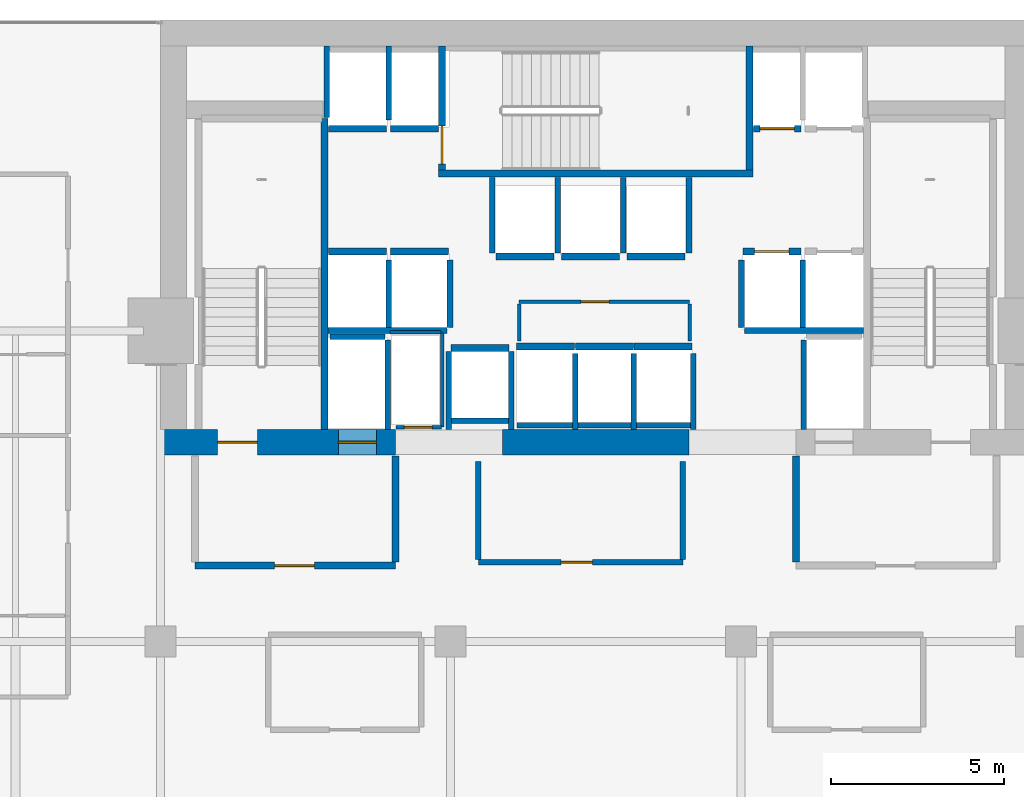
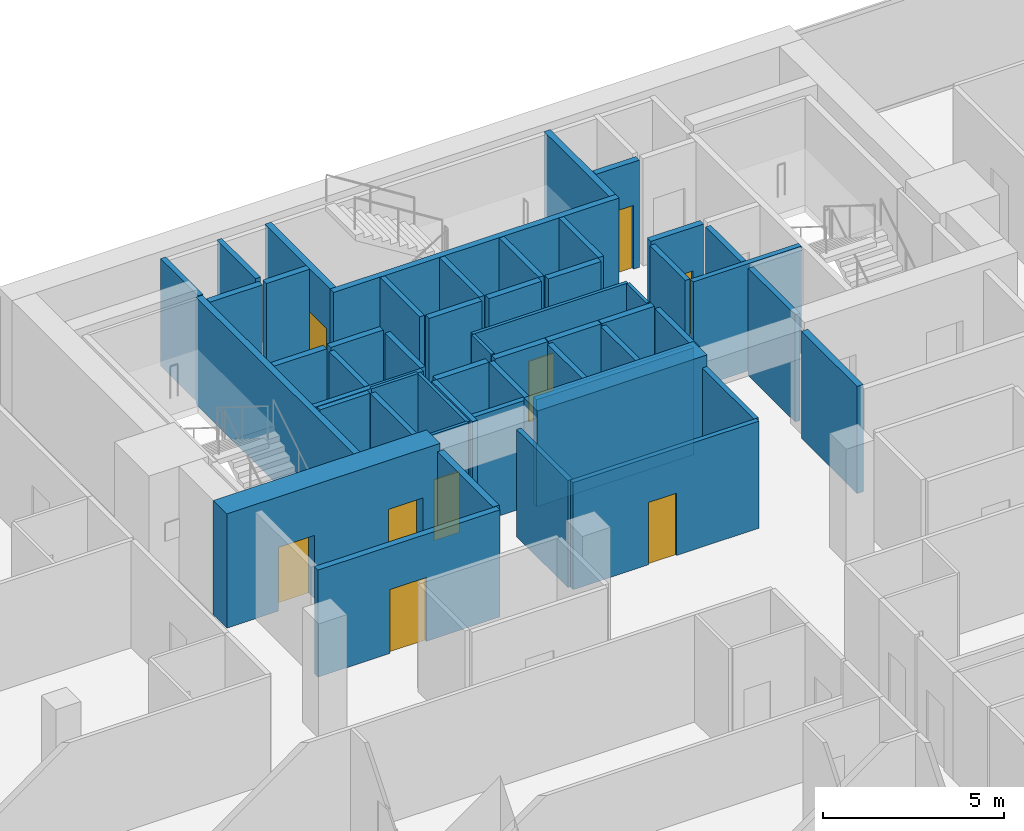
# One storey, part 30 of 34: 53 walls, 9 doors, 9 openings.
"""IFC4 building model written with IfcOpenShell, lengths in metres."""

from ifc_helpers import new_model, si_unit, direction, frame, frame_2d, origin, place, context, subcontext, project, spatial, rectangle, extrude, material, layer, layer_set, type_object, element, fill, save


model = new_model("IFC4")

# Units and contexts
model_context = context("Model", 3, precision=1e-05, world=origin(), true_north=direction((0.0, 1.0)))
body_context = subcontext(model_context, "Body", "Model", "MODEL_VIEW")
ifc_project = project(units=[si_unit("LENGTHUNIT", "METRE"), si_unit("AREAUNIT", "SQUARE_METRE"), si_unit("VOLUMEUNIT", "CUBIC_METRE"), si_unit("PLANEANGLEUNIT", "RADIAN"), si_unit("MASSUNIT", "GRAM", prefix="KILO")], contexts=[model_context])

# Site, building, storey
site_placement = place(None, origin())
site = spatial("IfcSite", under=ifc_project, at=site_placement, CompositionType="ELEMENT")
building_placement = place(site_placement, origin())
building = spatial("IfcBuilding", under=site, at=building_placement, Name="Maruvema Waterfront Hotel and Observation Tower", CompositionType="ELEMENT")
storey_placement = place(building_placement, frame((0.0, 0.0, 127.39990234375)))
storey = spatial("IfcBuildingStorey", under=building, at=storey_placement, Name="L30", CompositionType="ELEMENT", Elevation=127.39990234375)

# Wall, opening, door
ifc_material_1 = material(Name="Twin-stud acoustic gypsum drywall", Category="gypsum")
ifc_layer_1 = layer(ifc_material_1, 0.14990234375, Name="Acoustic Corridor and Suite Demising Wall 150 mm")
ifc_layer_set_1 = layer_set([ifc_layer_1], Name="Twin-stud acoustic gypsum drywall")
wall_type_1 = type_object("IfcWallType", Name="Acoustic Corridor and Suite Demising Wall 150 mm", PredefinedType="PARTITIONING", material=ifc_layer_set_1)
wall_1_placement = place(storey_placement, frame((34.39990234375, 38.300048828125, 0.0), z_axis=(0.0, 0.0, 1.0), x_axis=(1.0, 0.0, 0.0)))
wall_1 = element("IfcWall", 1, at=wall_1_placement, inside=storey, type_object=wall_type_1, Name="L30 Core Apron K0 South 013", PredefinedType="PARTITIONING", context=body_context, shape_type="SweptSolid", body=[
    extrude(rectangle(XDim=5.920166015625, YDim=0.14990234375, at=frame_2d((2.9599609375, 0.0))), origin(), (0.0, 0.0, 1.0), 3.610107421875),
])
opening_1_placement = place(wall_1_placement, frame((2.39990234375, 0.0, 0.0)))
opening_1 = element("IfcOpeningElement", 2, at=opening_1_placement, cuts=wall_1, Name="Opening DR-090", PredefinedType="OPENING", context=body_context, shape_type="SweptSolid", body=[
    extrude(rectangle(XDim=0.89990234375, YDim=2.10009765625, at=frame_2d((0.449951171875, 1.050048828125))), frame((0.0, 0.0849609375, 0.0), z_axis=(0.0, -1.0, 0.0), x_axis=(1.0, 0.0, 0.0)), (0.0, 0.0, 1.0), 0.169921875),
])
ifc_material_2 = material(Name="Solid-core lacquered timber leaf", Category="wood")
door_type_1 = type_object("IfcDoorType", Name="Accessible Toilet and Room Door 900x2100 mm", OperationType="NOTDEFINED", PredefinedType="DOOR", material=ifc_material_2)
door_1_placement = place(opening_1_placement, frame((0.89990234375, 0.0, 0.0), z_axis=(0.0, 0.0, 1.0), x_axis=(-1.0, 0.0, 0.0)))
door_1 = element("IfcDoor", 3, at=door_1_placement, inside=storey, type_object=door_type_1, Name="L30 Core Valet Room Door", OperationType="SINGLE_SWING_RIGHT", OverallHeight=2.10009765625, OverallWidth=0.89990234375, PredefinedType="DOOR", context=body_context, shape_type="SweptSolid", body=[
    extrude(rectangle(XDim=0.89990234375, YDim=2.10009765625, at=frame_2d((0.449951171875, 1.050048828125))), frame((0.0, 0.02490234375, 0.0), z_axis=(0.0, -1.0, 0.0), x_axis=(1.0, 0.0, 0.0)), (0.0, 0.0, 1.0), 0.050048828125),
])
fill(opening_1, door_1)

# Walls
for number, where, z_axis, x_axis, name in (
    (4, (34.39990234375, 38.3798828125, 0.0), (0.0, 0.0, 1.0), (0.0, 1.0, 0.0), "L30 Core Apron K0 West 014"),
    (5, (40.320068359375, 38.3798828125, 0.0), (0.0, 0.0, 1.0), (0.0, 1.0, 0.0), "L30 Core Apron K0 East 015"),
):
    element("IfcWall", number, at=place(storey_placement, frame(where, z_axis=z_axis, x_axis=x_axis)), inside=storey, type_object=wall_type_1, Name=name, PredefinedType="PARTITIONING", context=body_context, shape_type="SweptSolid", body=[
        extrude(rectangle(XDim=2.840087890625, YDim=0.14990234375, at=frame_2d((1.419921875, 0.0))), origin(), (0.0, 0.0, 1.0), 3.610107421875),
    ])
ifc_material_3 = material(Name="Precast concrete C45/55", Category="concrete")
ifc_layer_2 = layer(ifc_material_3, 0.199951171875, Name="Core Shaft and Stairwell Enclosure Wall 200 mm")
ifc_layer_set_2 = layer_set([ifc_layer_2], Name="Precast concrete C45/55")
wall_type_2 = type_object("IfcWallType", Name="Core Shaft and Stairwell Enclosure Wall 200 mm", PredefinedType="SOLIDWALL", material=ifc_layer_set_2)
wall_2_placement = place(storey_placement, frame((29.949951171875, 42.14990234375, 0.0), z_axis=(0.0, 0.0, 1.0), x_axis=(0.0, 1.0, 0.0)))
element("IfcWall", 6, at=wall_2_placement, inside=storey, type_object=wall_type_2, Name="L30 Stairwell ST-01 East Shaft Wall", PredefinedType="SOLIDWALL", context=body_context, shape_type="SweptSolid", body=[
    extrude(rectangle(XDim=9.0, YDim=0.199951171875, at=frame_2d((4.5, 0.0))), origin(), (0.0, 0.0, 1.0), 3.610107421875),
])
wall_3_placement = place(storey_placement, frame((33.25, 49.550048828125, 0.0), z_axis=(0.0, 0.0, 1.0), x_axis=(1.0, 0.0, 0.0)))
element("IfcWall", 7, at=wall_3_placement, inside=storey, type_object=wall_type_2, Name="L30 Stairwell ST-02 Shaft Wall", PredefinedType="SOLIDWALL", context=body_context, shape_type="SweptSolid", body=[
    extrude(rectangle(XDim=9.10009765625, YDim=0.199951171875, at=frame_2d((4.550048828125, 0.0))), origin(), (0.0, 0.0, 1.0), 3.610107421875),
])
wall_4_placement = place(storey_placement, frame((42.25, 49.64990234375, 0.0), z_axis=(0.0, 0.0, 1.0), x_axis=(0.0, 1.0, 0.0)))
element("IfcWall", 8, at=wall_4_placement, inside=storey, type_object=wall_type_2, Name="L30 Stairwell ST-02 Shaft Wall", PredefinedType="SOLIDWALL", context=body_context, shape_type="SweptSolid", body=[
    extrude(rectangle(XDim=3.60009765625, YDim=0.199951171875, at=frame_2d((1.800048828125, 0.0))), origin(), (0.0, 0.0, 1.0), 3.610107421875),
])

# Wall, opening, door
wall_5_placement = place(storey_placement, frame((33.35009765625, 49.64990234375, 0.0), z_axis=(0.0, 0.0, 1.0), x_axis=(0.0, 1.0, 0.0)))
wall_5 = element("IfcWall", 9, at=wall_5_placement, inside=storey, type_object=wall_type_2, Name="L30 Stairwell ST-02 Shaft Wall", PredefinedType="SOLIDWALL", context=body_context, shape_type="SweptSolid", body=[
    extrude(rectangle(XDim=3.60009765625, YDim=0.199951171875, at=frame_2d((1.800048828125, 0.0))), origin(), (0.0, 0.0, 1.0), 3.610107421875),
])
opening_2_placement = place(wall_5_placement, frame((0.179931640625, 0.0, 0.0)))
opening_2 = element("IfcOpeningElement", 10, at=opening_2_placement, cuts=wall_5, Name="Opening SD-02", PredefinedType="OPENING", context=body_context, shape_type="SweptSolid", body=[
    extrude(rectangle(XDim=1.10009765625, YDim=2.14990234375, at=frame_2d((0.550048828125, 1.074951171875))), frame((0.0, 0.10986328125, 0.0), z_axis=(0.0, -1.0, 0.0), x_axis=(1.0, 0.0, 0.0)), (0.0, 0.0, 1.0), 0.219970703125),
])
ifc_material_4 = material(Name="Fire-rated galvanised steel leaf", Category="steel")
door_type_2 = type_object("IfcDoorType", Name="Central Exit Stair Fire Door 1100x2150 mm", OperationType="NOTDEFINED", PredefinedType="DOOR", material=ifc_material_4)
door_2_placement = place(opening_2_placement, frame((1.10009765625, 0.0, 0.0), z_axis=(0.0, 0.0, 1.0), x_axis=(-1.0, 0.0, 0.0)))
door_2 = element("IfcDoor", 11, at=door_2_placement, inside=storey, type_object=door_type_2, Name="L30 Exit Stair ST-02 Fire Door", OperationType="SINGLE_SWING_LEFT", OverallHeight=2.14990234375, OverallWidth=1.10009765625, PredefinedType="DOOR", context=body_context, shape_type="SweptSolid", body=[
    extrude(rectangle(XDim=1.10009765625, YDim=2.14990234375, at=frame_2d((0.550048828125, 1.074951171875))), frame((0.0, 0.02490234375, 0.0), z_axis=(0.0, -1.0, 0.0), x_axis=(1.0, 0.0, 0.0)), (0.0, 0.0, 1.0), 0.050048828125),
])
fill(opening_2, door_2)

# Walls
for number, where, z_axis, x_axis, name in (
    (12, (30.06005859375, 47.300048828125, 0.0), (0.0, 0.0, 1.0), (1.0, 0.0, 0.0), "L30 Lift LF-01 Hoistway Front Wall"),
    (13, (31.860107421875, 47.300048828125, 0.0), (0.0, 0.0, 1.0), (1.0, 0.0, 0.0), "L30 Lift LF-02 Hoistway Front Wall"),
    (14, (30.06005859375, 50.85009765625, 0.0), (0.0, 0.0, 1.0), (1.0, 0.0, 0.0), "L30 Lift LF-03 Hoistway Front Wall"),
):
    element("IfcWall", number, at=place(storey_placement, frame(where, z_axis=z_axis, x_axis=x_axis)), inside=storey, type_object=wall_type_2, Name=name, PredefinedType="SOLIDWALL", context=body_context, shape_type="SweptSolid", body=[
        extrude(rectangle(XDim=1.679931640625, YDim=0.199951171875, at=frame_2d((0.83984375, 0.0))), origin(), (0.0, 0.0, 1.0), 3.610107421875),
    ])
wall_6_placement = place(storey_placement, frame((31.860107421875, 50.85009765625, 0.0), z_axis=(0.0, 0.0, 1.0), x_axis=(1.0, 0.0, 0.0)))
element("IfcWall", 15, at=wall_6_placement, inside=storey, type_object=wall_type_2, Name="L30 Lift LF-04 Hoistway Front Wall", PredefinedType="SOLIDWALL", context=body_context, shape_type="SweptSolid", body=[
    extrude(rectangle(XDim=1.3798828125, YDim=0.199951171875, at=frame_2d((0.68994140625, 0.0))), origin(), (0.0, 0.0, 1.0), 3.610107421875),
])

# Wall, opening, door
wall_7_placement = place(storey_placement, frame((42.06005859375, 47.300048828125, 0.0), z_axis=(0.0, 0.0, 1.0), x_axis=(1.0, 0.0, 0.0)))
wall_7 = element("IfcWall", 16, at=wall_7_placement, inside=storey, type_object=wall_type_2, Name="L30 Lift LF-05 Hoistway Front Wall", PredefinedType="SOLIDWALL", context=body_context, shape_type="SweptSolid", body=[
    extrude(rectangle(XDim=1.679931640625, YDim=0.199951171875, at=frame_2d((0.83984375, 0.0))), origin(), (0.0, 0.0, 1.0), 3.610107421875),
])
opening_3_placement = place(wall_7_placement, frame((0.340087890625, 0.0, 0.0)))
opening_3 = element("IfcOpeningElement", 17, at=opening_3_placement, cuts=wall_7, Name="Opening LD-01", PredefinedType="OPENING", context=body_context, shape_type="SweptSolid", body=[
    extrude(rectangle(XDim=1.0, YDim=2.14990234375, at=frame_2d((0.5, 1.074951171875))), frame((0.0, 0.10986328125, 0.0), z_axis=(0.0, -1.0, 0.0), x_axis=(1.0, 0.0, 0.0)), (0.0, 0.0, 1.0), 0.219970703125),
])
ifc_material_5 = material(Name="Brushed stainless steel Grade 316", Category="steel")
door_type_3 = type_object("IfcDoorType", Name="Passenger Lift Sliding Landing Door 1000x2150 mm", OperationType="SLIDING_TO_LEFT", PredefinedType="DOOR", material=ifc_material_5)
door_3_placement = place(opening_3_placement, origin())
door_3 = element("IfcDoor", 18, at=door_3_placement, inside=storey, type_object=door_type_3, Name="L30 Lift LF-05 Sliding Landing Door", OperationType="SLIDING_TO_LEFT", OverallHeight=2.14990234375, OverallWidth=1.0, PredefinedType="DOOR", context=body_context, shape_type="SweptSolid", body=[
    extrude(rectangle(XDim=1.0, YDim=2.14990234375, at=frame_2d((0.5, 1.074951171875))), frame((0.0, 0.02490234375, 0.0), z_axis=(0.0, -1.0, 0.0), x_axis=(1.0, 0.0, 0.0)), (0.0, 0.0, 1.0), 0.050048828125),
])
fill(opening_3, door_3)

wall_8_placement = place(storey_placement, frame((42.360107421875, 50.85009765625, 0.0), z_axis=(0.0, 0.0, 1.0), x_axis=(1.0, 0.0, 0.0)))
wall_8 = element("IfcWall", 19, at=wall_8_placement, inside=storey, type_object=wall_type_2, Name="L30 Lift LF-07 Hoistway Front Wall", PredefinedType="SOLIDWALL", context=body_context, shape_type="SweptSolid", body=[
    extrude(rectangle(XDim=1.3798828125, YDim=0.199951171875, at=frame_2d((0.68994140625, 0.0))), origin(), (0.0, 0.0, 1.0), 3.610107421875),
])
opening_4_placement = place(wall_8_placement, frame((0.18994140625, 0.0, 0.0)))
opening_4 = element("IfcOpeningElement", 20, at=opening_4_placement, cuts=wall_8, Name="Opening LD-01", PredefinedType="OPENING", context=body_context, shape_type="SweptSolid", body=[
    extrude(rectangle(XDim=1.0, YDim=2.14990234375, at=frame_2d((0.5, 1.074951171875))), frame((0.0, 0.10986328125, 0.0), z_axis=(0.0, -1.0, 0.0), x_axis=(1.0, 0.0, 0.0)), (0.0, 0.0, 1.0), 0.219970703125),
])
door_4_placement = place(opening_4_placement, frame((1.0, 0.0, 0.0), z_axis=(0.0, 0.0, 1.0), x_axis=(-1.0, 0.0, 0.0)))
door_4 = element("IfcDoor", 21, at=door_4_placement, inside=storey, type_object=door_type_3, Name="L30 Lift LF-07 Sliding Landing Door", OperationType="SLIDING_TO_LEFT", OverallHeight=2.14990234375, OverallWidth=1.0, PredefinedType="DOOR", context=body_context, shape_type="SweptSolid", body=[
    extrude(rectangle(XDim=1.0, YDim=2.14990234375, at=frame_2d((0.5, 1.074951171875))), frame((0.0, 0.02490234375, 0.0), z_axis=(0.0, -1.0, 0.0), x_axis=(1.0, 0.0, 0.0)), (0.0, 0.0, 1.0), 0.050048828125),
])
fill(opening_4, door_4)

# Walls
for number, where, z_axis, x_axis, name in (
    (22, (35.510009765625, 44.550048828125, 0.0), (0.0, 0.0, 1.0), (1.0, 0.0, 0.0), "L30 Lift LF-09 Hoistway Front Wall"),
    (23, (37.2099609375, 44.550048828125, 0.0), (0.0, 0.0, 1.0), (1.0, 0.0, 0.0), "L30 Lift LF-10 Hoistway Front Wall"),
):
    element("IfcWall", number, at=place(storey_placement, frame(where, z_axis=z_axis, x_axis=x_axis)), inside=storey, type_object=wall_type_2, Name=name, PredefinedType="SOLIDWALL", context=body_context, shape_type="SweptSolid", body=[
        extrude(rectangle(XDim=1.679931640625, YDim=0.199951171875, at=frame_2d((0.83984375, 0.0))), origin(), (0.0, 0.0, 1.0), 3.610107421875),
    ])
for number, where, z_axis, x_axis, name in (
    (24, (38.909912109375, 44.550048828125, 0.0), (0.0, 0.0, 1.0), (1.0, 0.0, 0.0), "L30 Lift LF-11 Hoistway Front Wall"),
    (25, (34.909912109375, 47.14990234375, 0.0), (0.0, 0.0, 1.0), (1.0, 0.0, 0.0), "L30 Lift LF-12 Hoistway Front Wall"),
):
    element("IfcWall", number, at=place(storey_placement, frame(where, z_axis=z_axis, x_axis=x_axis)), inside=storey, type_object=wall_type_2, Name=name, PredefinedType="SOLIDWALL", context=body_context, shape_type="SweptSolid", body=[
        extrude(rectangle(XDim=1.68017578125, YDim=0.199951171875, at=frame_2d((0.840087890625, 0.0))), origin(), (0.0, 0.0, 1.0), 3.610107421875),
    ])
for number, where, z_axis, x_axis, name in (
    (26, (36.81005859375, 47.14990234375, 0.0), (0.0, 0.0, 1.0), (1.0, 0.0, 0.0), "L30 Lift LF-13 Hoistway Front Wall"),
    (27, (38.7099609375, 47.14990234375, 0.0), (0.0, 0.0, 1.0), (1.0, 0.0, 0.0), "L30 Lift LF-14 Hoistway Front Wall"),
    (28, (33.610107421875, 44.5, 0.0), (0.0, 0.0, 1.0), (1.0, 0.0, 0.0), "L30 Lift LF-15 Hoistway Front Wall"),
):
    element("IfcWall", number, at=place(storey_placement, frame(where, z_axis=z_axis, x_axis=x_axis)), inside=storey, type_object=wall_type_2, Name=name, PredefinedType="SOLIDWALL", context=body_context, shape_type="SweptSolid", body=[
        extrude(rectangle(XDim=1.679931640625, YDim=0.199951171875, at=frame_2d((0.83984375, 0.0))), origin(), (0.0, 0.0, 1.0), 3.610107421875),
    ])

# Wall, openings, doors
ifc_material_6 = material(Name="Concrete C70/85", Category="concrete")
ifc_layer_3 = layer(ifc_material_6, 0.75, Name="Core Shear Wall 750 mm")
ifc_layer_set_3 = layer_set([ifc_layer_3], Name="Concrete C70/85")
wall_type_3 = type_object("IfcWallType", Name="Core Shear Wall 750 mm", PredefinedType="SHEAR", material=ifc_layer_set_3)
wall_9_placement = place(storey_placement, frame((25.199951171875, 41.77490234375, 0.0), z_axis=(0.0, 0.0, 1.0), x_axis=(1.0, 0.0, 0.0)))
wall_9 = element("IfcWall", 29, at=wall_9_placement, inside=storey, type_object=wall_type_3, Name="L30 South-West Core Shear Wall", PredefinedType="SHEAR", context=body_context, shape_type="SweptSolid", body=[
    extrude(rectangle(XDim=6.800048828125, YDim=0.75, at=frame_2d((3.39990234375, 0.0))), origin(), (0.0, 0.0, 1.0), 3.85009765625),
])
opening_5_placement = place(wall_9_placement, frame((1.64990234375, 0.0, 0.0)))
opening_5 = element("IfcOpeningElement", 30, at=opening_5_placement, cuts=wall_9, Name="Opening SD-01", PredefinedType="OPENING", context=body_context, shape_type="SweptSolid", body=[
    extrude(rectangle(XDim=1.14990234375, YDim=2.14990234375, at=frame_2d((0.574951171875, 1.074951171875))), frame((0.0, 0.385009765625, 0.0), z_axis=(0.0, -1.0, 0.0), x_axis=(1.0, 0.0, 0.0)), (0.0, 0.0, 1.0), 0.77001953125),
])
opening_6_placement = place(wall_9_placement, frame((5.14990234375, 0.0, 0.0)))
opening_6 = element("IfcOpeningElement", 31, at=opening_6_placement, cuts=wall_9, Name="Opening LD-03", PredefinedType="OPENING", context=body_context, shape_type="SweptSolid", body=[
    extrude(rectangle(XDim=1.10009765625, YDim=2.199951171875, at=frame_2d((0.550048828125, 1.10009765625))), frame((0.0, 0.385009765625, 0.0), z_axis=(0.0, -1.0, 0.0), x_axis=(1.0, 0.0, 0.0)), (0.0, 0.0, 1.0), 0.77001953125),
])
ifc_material_7 = material(Name="Fire-rated galvanised steel leaf", Category="steel")
door_type_4 = type_object("IfcDoorType", Name="Exit Stair Fire Door 1150x2150 mm", OperationType="NOTDEFINED", PredefinedType="DOOR", material=ifc_material_7)
door_5_placement = place(opening_5_placement, origin())
door_5 = element("IfcDoor", 32, at=door_5_placement, inside=storey, type_object=door_type_4, Name="L30 Exit Stair ST-01 Fire Door", OperationType="SINGLE_SWING_LEFT", OverallHeight=2.14990234375, OverallWidth=1.14990234375, PredefinedType="DOOR", context=body_context, shape_type="SweptSolid", body=[
    extrude(rectangle(XDim=1.14990234375, YDim=2.14990234375, at=frame_2d((0.574951171875, 1.074951171875))), frame((0.0, 0.02490234375, 0.0), z_axis=(0.0, -1.0, 0.0), x_axis=(1.0, 0.0, 0.0)), (0.0, 0.0, 1.0), 0.050048828125),
])
fill(opening_5, door_5)
ifc_material_8 = material(Name="Brushed stainless steel Grade 316", Category="steel")
door_type_5 = type_object("IfcDoorType", Name="Firefighting Lift Sliding Landing Door 1100x2200 mm", OperationType="SLIDING_TO_LEFT", PredefinedType="DOOR", material=ifc_material_8)
door_6_placement = place(opening_6_placement, frame((1.10009765625, 0.0, 0.0), z_axis=(0.0, 0.0, 1.0), x_axis=(-1.0, 0.0, 0.0)))
door_6 = element("IfcDoor", 33, at=door_6_placement, inside=storey, type_object=door_type_5, Name="L30 Firefighting Lift FL-01 Landing Door", OperationType="SLIDING_TO_LEFT", OverallHeight=2.199951171875, OverallWidth=1.10009765625, PredefinedType="DOOR", context=body_context, shape_type="SweptSolid", body=[
    extrude(rectangle(XDim=1.10009765625, YDim=2.199951171875, at=frame_2d((0.550048828125, 1.10009765625))), frame((0.0, 0.02490234375, 0.0), z_axis=(0.0, -1.0, 0.0), x_axis=(1.0, 0.0, 0.0)), (0.0, 0.0, 1.0), 0.050048828125),
])
fill(opening_6, door_6)

# Wall
wall_10_placement = place(storey_placement, frame((35.10009765625, 41.77490234375, 0.0), z_axis=(0.0, 0.0, 1.0), x_axis=(1.0, 0.0, 0.0)))
element("IfcWall", 34, at=wall_10_placement, inside=storey, type_object=wall_type_3, Name="L30 South-Central Core Shear Wall", PredefinedType="SHEAR", context=body_context, shape_type="SweptSolid", body=[
    extrude(rectangle(XDim=5.39990234375, YDim=0.75, at=frame_2d((2.699951171875, 0.0))), origin(), (0.0, 0.0, 1.0), 3.85009765625),
])

# Wall, opening, door
ifc_material_9 = material(Name="Moisture-resistant cement-board drywall", Category="gypsum")
ifc_layer_4 = layer(ifc_material_9, 0.10009765625, Name="En-Suite Moisture-Resistant Partition 100 mm")
ifc_layer_set_4 = layer_set([ifc_layer_4], Name="Moisture-resistant cement-board drywall")
wall_type_4 = type_object("IfcWallType", Name="En-Suite Moisture-Resistant Partition 100 mm", PredefinedType="PARTITIONING", material=ifc_layer_set_4)
wall_11_placement = place(storey_placement, frame((32.02001953125, 42.2099609375, 0.0), z_axis=(0.0, 0.0, 1.0), x_axis=(1.0, 0.0, 0.0)))
wall_11 = element("IfcWall", 35, at=wall_11_placement, inside=storey, type_object=wall_type_4, Name="L30 Telecom Riser South Wall 007", PredefinedType="PARTITIONING", context=body_context, shape_type="SweptSolid", body=[
    extrude(rectangle(XDim=1.320068359375, YDim=0.10009765625, at=frame_2d((0.66015625, 0.0))), origin(), (0.0, 0.0, 1.0), 3.610107421875),
])
opening_7_placement = place(wall_11_placement, frame((0.239990234375, 0.0, 0.0)))
opening_7 = element("IfcOpeningElement", 36, at=opening_7_placement, cuts=wall_11, Name="Opening DR-080", PredefinedType="OPENING", context=body_context, shape_type="SweptSolid", body=[
    extrude(rectangle(XDim=0.800048828125, YDim=2.050048828125, at=frame_2d((0.39990234375, 1.02490234375))), frame((0.0, 0.06005859375, 0.0), z_axis=(0.0, -1.0, 0.0), x_axis=(1.0, 0.0, 0.0)), (0.0, 0.0, 1.0), 0.1201171875),
])
ifc_material_10 = material(Name="Powder-coated steel access leaf", Category="steel")
door_type_6 = type_object("IfcDoorType", Name="Riser and Service Cupboard Door 800x2050 mm", OperationType="NOTDEFINED", PredefinedType="DOOR", material=ifc_material_10)
door_7_placement = place(opening_7_placement, frame((0.800048828125, 0.0, 0.0), z_axis=(0.0, 0.0, 1.0), x_axis=(-1.0, 0.0, 0.0)))
door_7 = element("IfcDoor", 37, at=door_7_placement, inside=storey, type_object=door_type_6, Name="L30 Telecom Riser Door", OperationType="SINGLE_SWING_RIGHT", OverallHeight=2.050048828125, OverallWidth=0.800048828125, PredefinedType="DOOR", context=body_context, shape_type="SweptSolid", body=[
    extrude(rectangle(XDim=0.800048828125, YDim=2.050048828125, at=frame_2d((0.39990234375, 1.02490234375))), frame((0.0, 0.02490234375, 0.0), z_axis=(0.0, -1.0, 0.0), x_axis=(1.0, 0.0, 0.0)), (0.0, 0.0, 1.0), 0.050048828125),
])
fill(opening_7, door_7)

# Walls
wall_12_placement = place(storey_placement, frame((31.840087890625, 44.9599609375, 0.0), z_axis=(0.0, 0.0, 1.0), x_axis=(1.0, 0.0, 0.0)))
element("IfcWall", 38, at=wall_12_placement, inside=storey, type_object=wall_type_4, Name="L30 Telecom Riser North Wall 008", PredefinedType="PARTITIONING", context=body_context, shape_type="SweptSolid", body=[
    extrude(rectangle(XDim=1.47998046875, YDim=0.10009765625, at=frame_2d((0.739990234375, 0.0))), origin(), (0.0, 0.0, 1.0), 3.610107421875),
])
wall_13_placement = place(storey_placement, frame((33.360107421875, 42.2099609375, 0.0), z_axis=(0.0, 0.0, 1.0), x_axis=(0.0, 1.0, 0.0)))
element("IfcWall", 39, at=wall_13_placement, inside=storey, type_object=wall_type_4, Name="L30 Telecom Riser East Wall 009", PredefinedType="PARTITIONING", context=body_context, shape_type="SweptSolid", body=[
    extrude(rectangle(XDim=2.72998046875, YDim=0.10009765625, at=frame_2d((1.364990234375, 0.0))), origin(), (0.0, 0.0, 1.0), 3.610107421875),
])

# Wall, opening, door
wall_14_placement = place(storey_placement, frame((35.580078125, 45.840087890625, 0.0), z_axis=(0.0, 0.0, 1.0), x_axis=(1.0, 0.0, 0.0)))
wall_14 = element("IfcWall", 40, at=wall_14_placement, inside=storey, type_object=wall_type_4, Name="L30 Core Closet K0 North 010", PredefinedType="PARTITIONING", context=body_context, shape_type="SweptSolid", body=[
    extrude(rectangle(XDim=4.93994140625, YDim=0.10009765625, at=frame_2d((2.469970703125, 0.0))), origin(), (0.0, 0.0, 1.0), 3.610107421875),
])
opening_8_placement = place(wall_14_placement, frame((1.800048828125, 0.0, 0.0)))
opening_8 = element("IfcOpeningElement", 41, at=opening_8_placement, cuts=wall_14, Name="Opening DR-080", PredefinedType="OPENING", context=body_context, shape_type="SweptSolid", body=[
    extrude(rectangle(XDim=0.800048828125, YDim=2.050048828125, at=frame_2d((0.39990234375, 1.02490234375))), frame((0.0, 0.06005859375, 0.0), z_axis=(0.0, -1.0, 0.0), x_axis=(1.0, 0.0, 0.0)), (0.0, 0.0, 1.0), 0.1201171875),
])
door_8_placement = place(opening_8_placement, origin())
door_8 = element("IfcDoor", 42, at=door_8_placement, inside=storey, type_object=door_type_6, Name="L30 Core Electrical Closet Door", OperationType="SINGLE_SWING_LEFT", OverallHeight=2.050048828125, OverallWidth=0.800048828125, PredefinedType="DOOR", context=body_context, shape_type="SweptSolid", body=[
    extrude(rectangle(XDim=0.800048828125, YDim=2.050048828125, at=frame_2d((0.39990234375, 1.02490234375))), frame((0.0, 0.02490234375, 0.0), z_axis=(0.0, -1.0, 0.0), x_axis=(1.0, 0.0, 0.0)), (0.0, 0.0, 1.0), 0.050048828125),
])
fill(opening_8, door_8)

# Walls
for number, where, z_axis, x_axis, name in (
    (43, (35.580078125, 44.699951171875, 0.0), (0.0, 0.0, 1.0), (0.0, 1.0, 0.0), "L30 Core Closet K0 West 011"),
    (44, (40.52001953125, 44.699951171875, 0.0), (0.0, 0.0, 1.0), (0.0, 1.0, 0.0), "L30 Core Closet K0 East 012"),
):
    element("IfcWall", number, at=place(storey_placement, frame(where, z_axis=z_axis, x_axis=x_axis)), inside=storey, type_object=wall_type_4, Name=name, PredefinedType="PARTITIONING", context=body_context, shape_type="SweptSolid", body=[
        extrude(rectangle(XDim=1.080078125, YDim=0.10009765625, at=frame_2d((0.5400390625, 0.0))), origin(), (0.0, 0.0, 1.0), 3.610107421875),
    ])

# Wall, opening, door
ifc_material_11 = material(Name="Autoclaved cellular concrete blockwork", Category="masonry")
ifc_layer_5 = layer(ifc_material_11, 0.199951171875, Name="Fire Compartment Masonry Wall 200 mm")
ifc_layer_set_5 = layer_set([ifc_layer_5], Name="Autoclaved cellular concrete blockwork")
wall_type_5 = type_object("IfcWallType", Name="Fire Compartment Masonry Wall 200 mm", PredefinedType="PARTITIONING", material=ifc_layer_set_5)
wall_15_placement = place(storey_placement, frame((26.199951171875, 38.199951171875, 0.0), z_axis=(0.0, 0.0, 1.0), x_axis=(1.0, 0.0, 0.0)))
wall_15 = element("IfcWall", 45, at=wall_15_placement, inside=storey, type_object=wall_type_5, Name="L30 FFL West South Wall 001", PredefinedType="PARTITIONING", context=body_context, shape_type="SweptSolid", body=[
    extrude(rectangle(XDim=5.800048828125, YDim=0.199951171875, at=frame_2d((2.89990234375, 0.0))), origin(), (0.0, 0.0, 1.0), 3.610107421875),
])
opening_9_placement = place(wall_15_placement, frame((2.300048828125, 0.0, 0.0)))
opening_9 = element("IfcOpeningElement", 46, at=opening_9_placement, cuts=wall_15, Name="Opening FD-115", PredefinedType="OPENING", context=body_context, shape_type="SweptSolid", body=[
    extrude(rectangle(XDim=1.14990234375, YDim=2.14990234375, at=frame_2d((0.574951171875, 1.074951171875))), frame((0.0, 0.10986328125, 0.0), z_axis=(0.0, -1.0, 0.0), x_axis=(1.0, 0.0, 0.0)), (0.0, 0.0, 1.0), 0.219970703125),
])
ifc_material_12 = material(Name="Fire-rated galvanised steel and vision glass", Category="steel")
door_type_7 = type_object("IfcDoorType", Name="Firefighting Lobby Fire Door 1150x2150 mm", OperationType="NOTDEFINED", PredefinedType="DOOR", material=ifc_material_12)
door_9_placement = place(opening_9_placement, frame((1.14990234375, 0.0, 0.0), z_axis=(0.0, 0.0, 1.0), x_axis=(-1.0, 0.0, 0.0)))
door_9 = element("IfcDoor", 47, at=door_9_placement, inside=storey, type_object=door_type_7, Name="L30 Firefighting Lobby West Door", OperationType="SINGLE_SWING_RIGHT", OverallHeight=2.14990234375, OverallWidth=1.14990234375, PredefinedType="DOOR", context=body_context, shape_type="SweptSolid", body=[
    extrude(rectangle(XDim=1.14990234375, YDim=2.14990234375, at=frame_2d((0.574951171875, 1.074951171875))), frame((0.0, 0.02490234375, 0.0), z_axis=(0.0, -1.0, 0.0), x_axis=(1.0, 0.0, 0.0)), (0.0, 0.0, 1.0), 0.050048828125),
])
fill(opening_9, door_9)

# Walls
for number, where, z_axis, x_axis, name in (
    (48, (32.0, 38.31005859375, 0.0), (0.0, 0.0, 1.0), (0.0, 1.0, 0.0), "L30 FFL West East Wall 003"),
    (49, (43.60009765625, 38.31005859375, 0.0), (0.0, 0.0, 1.0), (0.0, 1.0, 0.0), "L30 FFL East West Wall 005"),
):
    element("IfcWall", number, at=place(storey_placement, frame(where, z_axis=z_axis, x_axis=x_axis)), inside=storey, type_object=wall_type_5, Name=name, PredefinedType="PARTITIONING", context=body_context, shape_type="SweptSolid", body=[
        extrude(rectangle(XDim=3.06982421875, YDim=0.199951171875, at=frame_2d((1.534912109375, 0.0))), origin(), (0.0, 0.0, 1.0), 3.610107421875),
    ])
ifc_material_13 = material(Name="Precast concrete C45/55", Category="concrete")
ifc_layer_6 = layer(ifc_material_13, 0.159912109375, Name="Lift Hoistway Divider Wall 160 mm")
ifc_layer_set_6 = layer_set([ifc_layer_6], Name="Precast concrete C45/55")
wall_type_6 = type_object("IfcWallType", Name="Lift Hoistway Divider Wall 160 mm", PredefinedType="SOLIDWALL", material=ifc_layer_set_6)
wall_16_placement = place(storey_placement, frame((30.10009765625, 44.830078125, 0.0), z_axis=(0.0, 0.0, 1.0), x_axis=(1.0, 0.0, 0.0)))
element("IfcWall", 50, at=wall_16_placement, inside=storey, type_object=wall_type_6, Name="L30 Lift FL-01 Rear Hoistway Wall", PredefinedType="SOLIDWALL", context=body_context, shape_type="SweptSolid", body=[
    extrude(rectangle(XDim=1.599853515625, YDim=0.159912109375, at=frame_2d((0.7998046875, 0.0))), origin(), (0.0, 0.0, 1.0), 3.610107421875),
])
for number, where, z_axis, x_axis, name in (
    (51, (31.780029296875, 42.14990234375, 0.0), (0.0, 0.0, 1.0), (0.0, 1.0, 0.0), "L30 Lift FL-01 Inner Hoistway Wall"),
    (52, (43.820068359375, 42.14990234375, 0.0), (0.0, 0.0, 1.0), (0.0, 1.0, 0.0), "L30 Lift FL-02 Inner Hoistway Wall"),
):
    element("IfcWall", number, at=place(storey_placement, frame(where, z_axis=z_axis, x_axis=x_axis)), inside=storey, type_object=wall_type_6, Name=name, PredefinedType="SOLIDWALL", context=body_context, shape_type="SweptSolid", body=[
        extrude(rectangle(XDim=2.590087890625, YDim=0.159912109375, at=frame_2d((1.294921875, 0.0))), origin(), (0.0, 0.0, 1.0), 3.610107421875),
    ])
for number, where, z_axis, x_axis, name in (
    (53, (31.800048828125, 45.10009765625, 0.0), (0.0, 0.0, 1.0), (0.0, 1.0, 0.0), "L30 Hoistway Divider Wall"),
    (54, (33.580078125, 45.10009765625, 0.0), (0.0, 0.0, 1.0), (0.0, 1.0, 0.0), "L30 Hoistway Divider Wall"),
):
    element("IfcWall", number, at=place(storey_placement, frame(where, z_axis=z_axis, x_axis=x_axis)), inside=storey, type_object=wall_type_6, Name=name, PredefinedType="SOLIDWALL", context=body_context, shape_type="SweptSolid", body=[
        extrude(rectangle(XDim=1.949951171875, YDim=0.159912109375, at=frame_2d((0.97509765625, 0.0))), origin(), (0.0, 0.0, 1.0), 3.610107421875),
    ])
wall_17_placement = place(storey_placement, frame((30.050048828125, 45.010009765625, 0.0), z_axis=(0.0, 0.0, 1.0), x_axis=(1.0, 0.0, 0.0)))
element("IfcWall", 55, at=wall_17_placement, inside=storey, type_object=wall_type_6, Name="L30 Hoistway Divider Wall", PredefinedType="SOLIDWALL", context=body_context, shape_type="SweptSolid", body=[
    extrude(rectangle(XDim=3.449951171875, YDim=0.159912109375, at=frame_2d((1.72509765625, 0.0))), origin(), (0.0, 0.0, 1.0), 3.610107421875),
])
wall_18_placement = place(storey_placement, frame((30.010009765625, 51.179931640625, 0.0), z_axis=(0.0, 0.0, 1.0), x_axis=(0.0, 1.0, 0.0)))
element("IfcWall", 56, at=wall_18_placement, inside=storey, type_object=wall_type_6, Name="L30 Hoistway Divider Wall", PredefinedType="SOLIDWALL", context=body_context, shape_type="SweptSolid", body=[
    extrude(rectangle(XDim=2.070068359375, YDim=0.159912109375, at=frame_2d((1.03515625, 0.0))), origin(), (0.0, 0.0, 1.0), 3.610107421875),
])
wall_19_placement = place(storey_placement, frame((31.800048828125, 51.10009765625, 0.0), z_axis=(0.0, 0.0, 1.0), x_axis=(0.0, 1.0, 0.0)))
element("IfcWall", 57, at=wall_19_placement, inside=storey, type_object=wall_type_6, Name="L30 Hoistway Divider Wall", PredefinedType="SOLIDWALL", context=body_context, shape_type="SweptSolid", body=[
    extrude(rectangle(XDim=2.14990234375, YDim=0.159912109375, at=frame_2d((1.074951171875, 0.0))), origin(), (0.0, 0.0, 1.0), 3.610107421875),
])
for number, where, z_axis, x_axis, name in (
    (58, (42.02001953125, 45.10009765625, 0.0), (0.0, 0.0, 1.0), (0.0, 1.0, 0.0), "L30 Hoistway Divider Wall"),
    (59, (43.800048828125, 45.10009765625, 0.0), (0.0, 0.0, 1.0), (0.0, 1.0, 0.0), "L30 Hoistway Divider Wall"),
):
    element("IfcWall", number, at=place(storey_placement, frame(where, z_axis=z_axis, x_axis=x_axis)), inside=storey, type_object=wall_type_6, Name=name, PredefinedType="SOLIDWALL", context=body_context, shape_type="SweptSolid", body=[
        extrude(rectangle(XDim=1.949951171875, YDim=0.159912109375, at=frame_2d((0.97509765625, 0.0))), origin(), (0.0, 0.0, 1.0), 3.610107421875),
    ])
wall_20_placement = place(storey_placement, frame((42.10009765625, 45.010009765625, 0.0), z_axis=(0.0, 0.0, 1.0), x_axis=(1.0, 0.0, 0.0)))
element("IfcWall", 60, at=wall_20_placement, inside=storey, type_object=wall_type_6, Name="L30 Hoistway Divider Wall", PredefinedType="SOLIDWALL", context=body_context, shape_type="SweptSolid", body=[
    extrude(rectangle(XDim=3.449951171875, YDim=0.159912109375, at=frame_2d((1.72509765625, 0.0))), origin(), (0.0, 0.0, 1.0), 3.610107421875),
])
for number, where, z_axis, x_axis, name in (
    (61, (37.199951171875, 42.14990234375, 0.0), (0.0, 0.0, 1.0), (0.0, 1.0, 0.0), "L30 Hoistway Divider Wall"),
    (62, (38.89990234375, 42.14990234375, 0.0), (0.0, 0.0, 1.0), (0.0, 1.0, 0.0), "L30 Hoistway Divider Wall"),
    (63, (40.6201171875, 42.14990234375, 0.0), (0.0, 0.0, 1.0), (0.0, 1.0, 0.0), "L30 Hoistway Divider Wall"),
):
    element("IfcWall", number, at=place(storey_placement, frame(where, z_axis=z_axis, x_axis=x_axis)), inside=storey, type_object=wall_type_6, Name=name, PredefinedType="SOLIDWALL", context=body_context, shape_type="SweptSolid", body=[
        extrude(rectangle(XDim=2.2001953125, YDim=0.159912109375, at=frame_2d((1.10009765625, 0.0))), origin(), (0.0, 0.0, 1.0), 3.610107421875),
    ])
wall_21_placement = place(storey_placement, frame((35.52001953125, 42.260009765625, 0.0), z_axis=(0.0, 0.0, 1.0), x_axis=(1.0, 0.0, 0.0)))
element("IfcWall", 64, at=wall_21_placement, inside=storey, type_object=wall_type_6, Name="L30 Hoistway Divider Wall", PredefinedType="SOLIDWALL", context=body_context, shape_type="SweptSolid", body=[
    extrude(rectangle(XDim=5.02001953125, YDim=0.159912109375, at=frame_2d((2.510009765625, 0.0))), origin(), (0.0, 0.0, 1.0), 3.610107421875),
])
for number, where, z_axis, x_axis, name in (
    (65, (34.800048828125, 47.25, 0.0), (0.0, 0.0, 1.0), (0.0, 1.0, 0.0), "L30 Hoistway Divider Wall"),
    (66, (36.699951171875, 47.25, 0.0), (0.0, 0.0, 1.0), (0.0, 1.0, 0.0), "L30 Hoistway Divider Wall"),
    (67, (38.60009765625, 47.25, 0.0), (0.0, 0.0, 1.0), (0.0, 1.0, 0.0), "L30 Hoistway Divider Wall"),
    (68, (40.5, 47.25, 0.0), (0.0, 0.0, 1.0), (0.0, 1.0, 0.0), "L30 Hoistway Divider Wall"),
):
    element("IfcWall", number, at=place(storey_placement, frame(where, z_axis=z_axis, x_axis=x_axis)), inside=storey, type_object=wall_type_6, Name=name, PredefinedType="SOLIDWALL", context=body_context, shape_type="SweptSolid", body=[
        extrude(rectangle(XDim=2.18994140625, YDim=0.159912109375, at=frame_2d((1.094970703125, 0.0))), origin(), (0.0, 0.0, 1.0), 3.610107421875),
    ])
for number, where, z_axis, x_axis, name in (
    (69, (33.5400390625, 42.14990234375, 0.0), (0.0, 0.0, 1.0), (0.0, 1.0, 0.0), "L30 Hoistway Divider Wall"),
    (70, (35.360107421875, 42.14990234375, 0.0), (0.0, 0.0, 1.0), (0.0, 1.0, 0.0), "L30 Hoistway Divider Wall"),
):
    element("IfcWall", number, at=place(storey_placement, frame(where, z_axis=z_axis, x_axis=x_axis)), inside=storey, type_object=wall_type_6, Name=name, PredefinedType="SOLIDWALL", context=body_context, shape_type="SweptSolid", body=[
        extrude(rectangle(XDim=2.25, YDim=0.159912109375, at=frame_2d((1.125, 0.0))), origin(), (0.0, 0.0, 1.0), 3.610107421875),
    ])
wall_22_placement = place(storey_placement, frame((33.6201171875, 42.39990234375, 0.0), z_axis=(0.0, 0.0, 1.0), x_axis=(1.0, 0.0, 0.0)))
element("IfcWall", 71, at=wall_22_placement, inside=storey, type_object=wall_type_6, Name="L30 Hoistway Divider Wall", PredefinedType="SOLIDWALL", context=body_context, shape_type="SweptSolid", body=[
    extrude(rectangle(XDim=1.659912109375, YDim=0.159912109375, at=frame_2d((0.830078125, 0.0))), origin(), (0.0, 0.0, 1.0), 3.610107421875),
])

save(model, "model.ifc")
